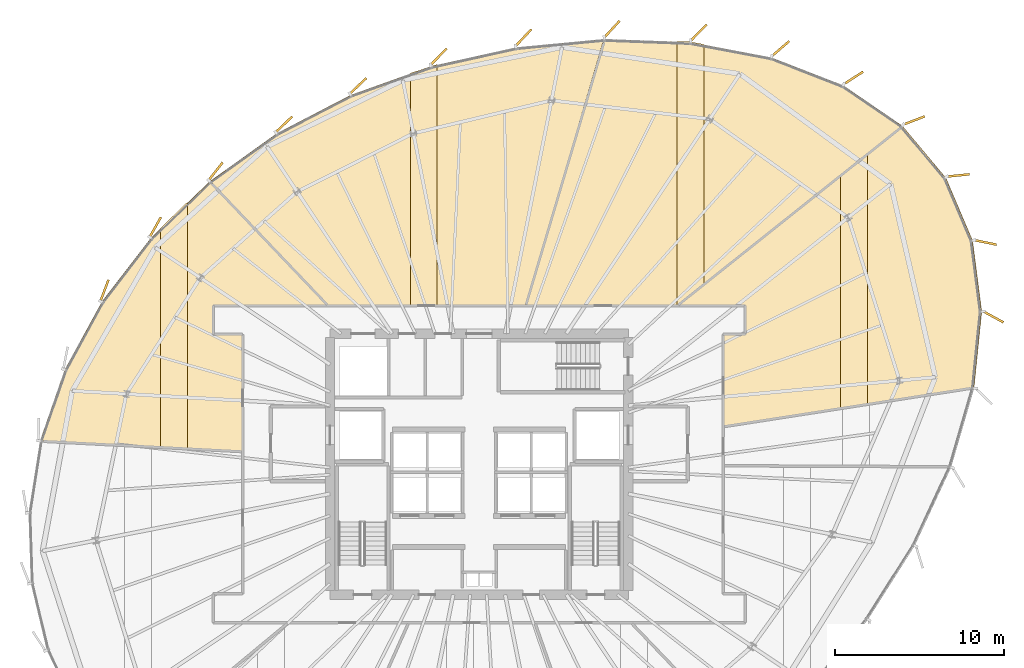
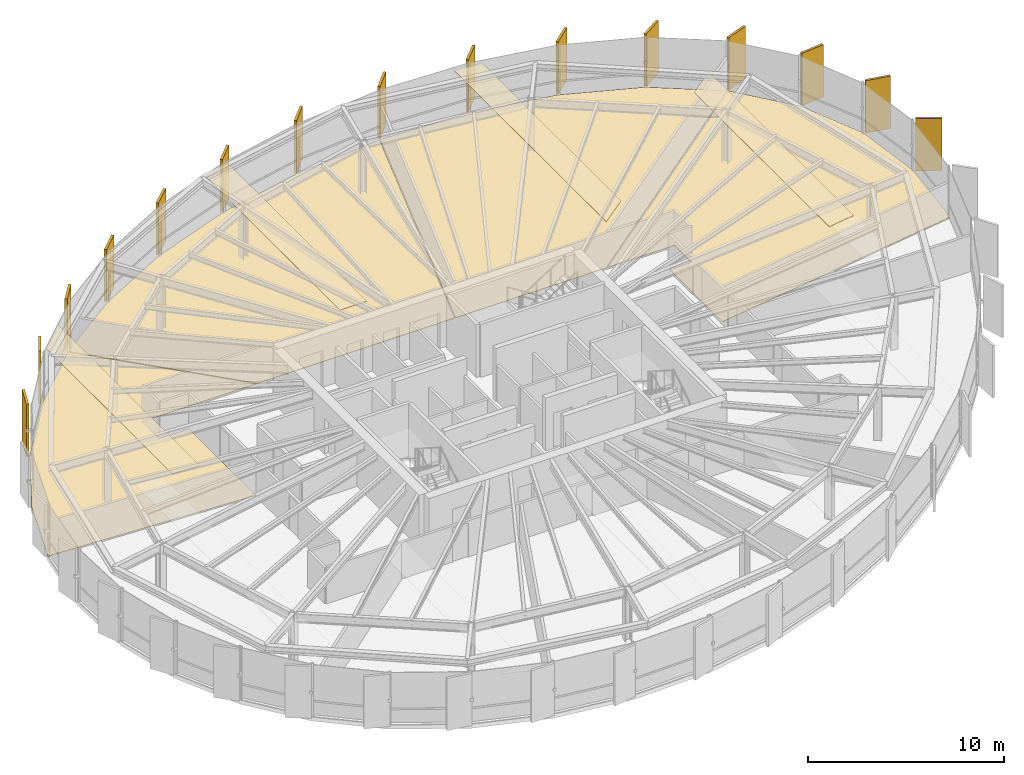
# One storey, part 32 of 32: 23 coverings.
"""IFC4 building model written with IfcOpenShell, lengths in metres."""

import ifcopenshell
import ifcopenshell.guid

model = None  # the IFC model being written
_history = None  # IfcOwnerHistory: only IFC2X3 demands one
_inside = {}  # id of a spatial element -> (the spatial element, [elements in it])
_under = {}  # id of a project, library or spatial element -> (it, [spatial elements below it])
_declared = {}  # id of a project -> (the project, [libraries it declares])
_typed = {}  # id of a type object -> (the type object, [elements of that type])
_made_of = {}  # id of a material, layer set ... -> (it, [elements and type objects made of it])


def new_model(schema):
    """Start an empty IFC model of exactly this schema.

    Asked for "IFC4X3", IfcOpenShell would pick the latest addendum, in which some entities
    have other attributes; the version numbers below select the first issue.
    IFC2X3 requires an IfcOwnerHistory on every rooted entity: one is made here for all.
    """
    global model, _history
    if schema == "IFC4X3":
        model = ifcopenshell.file(schema_version=(4, 3, 0, 0))
    else:
        model = ifcopenshell.file(schema=schema)
    _inside.clear()
    _under.clear()
    _declared.clear()
    _typed.clear()
    _made_of.clear()
    _history = None
    if model.schema == "IFC2X3":
        org = make("IfcOrganization", Name="unknown")
        user = make(
            "IfcPersonAndOrganization",
            ThePerson=make("IfcPerson", FamilyName="unknown"),
            TheOrganization=org,
        )
        app = make(
            "IfcApplication",
            ApplicationDeveloper=org,
            Version="unknown",
            ApplicationFullName="unknown",
            ApplicationIdentifier="unknown",
        )
        _history = make(
            "IfcOwnerHistory",
            OwningUser=user,
            OwningApplication=app,
            ChangeAction="ADDED",
            CreationDate=0,
        )
    return model


def make(cls, **values):
    """One entity of the class cls with the attributes given. An attribute that is None is left unset."""
    return model.create_entity(
        cls, **{name: value for name, value in values.items() if value is not None}
    )


def rooted(cls, **values):
    """An entity with a GlobalId (a new one), such as an element, a storey or a relation."""
    return make(cls, GlobalId=ifcopenshell.guid.new(), OwnerHistory=_history, **values)


def si_unit(unit_type, name, prefix=None):
    """IfcSIUnit, for example si_unit("LENGTHUNIT", "METRE", prefix="MILLI")."""
    return make("IfcSIUnit", UnitType=unit_type, Prefix=prefix, Name=name)


def assignment(units):
    """IfcUnitAssignment: the units of a project."""
    return None if units is None else make("IfcUnitAssignment", Units=units)


def point(xyz):
    """IfcCartesianPoint."""
    return None if xyz is None else make("IfcCartesianPoint", Coordinates=xyz)


def direction(xyz):
    """IfcDirection."""
    return None if xyz is None else make("IfcDirection", DirectionRatios=xyz)


def frame(location, z_axis=None, x_axis=None):
    """IfcAxis2Placement3D, a coordinate frame: its origin and axes. An axis left out is left unset."""
    return make(
        "IfcAxis2Placement3D",
        Location=point(location),
        Axis=direction(z_axis),
        RefDirection=direction(x_axis),
    )


def frame_2d(location, x_axis=None):
    """IfcAxis2Placement2D, a coordinate frame in the plane: its origin and x axis."""
    return make(
        "IfcAxis2Placement2D", Location=point(location), RefDirection=direction(x_axis)
    )


def origin():
    """The frame at (0, 0, 0) with its axes left unset."""
    return frame((0.0, 0.0, 0.0))


def origin_2d():
    """The frame at (0, 0) in the plane with its x axis left unset."""
    return frame_2d((0.0, 0.0))


def place(relative_to, where):
    """IfcLocalPlacement: puts the frame where relative to a parent placement (None: the world)."""
    return make(
        "IfcLocalPlacement", PlacementRelTo=relative_to, RelativePlacement=where
    )


def context(
    kind, dimensions, precision=None, world=None, true_north=None, identifier=None
):
    """IfcGeometricRepresentationContext, for example the 3D "Model" context."""
    return make(
        "IfcGeometricRepresentationContext",
        ContextIdentifier=identifier,
        ContextType=kind,
        CoordinateSpaceDimension=dimensions,
        Precision=precision,
        WorldCoordinateSystem=world,
        TrueNorth=true_north,
    )


def subcontext(parent, identifier, kind, view, scale=None):
    """IfcGeometricRepresentationSubContext, for example "Body" below "Model"."""
    return make(
        "IfcGeometricRepresentationSubContext",
        ContextIdentifier=identifier,
        ContextType=kind,
        ParentContext=parent,
        TargetScale=scale,
        TargetView=view,
    )


def project(units=None, contexts=None):
    """IfcProject with its units and contexts."""
    return rooted(
        "IfcProject",
        Name="project",
        RepresentationContexts=contexts,
        UnitsInContext=assignment(units),
    )


def spatial(cls, under=None, at=None, **own):
    """A site, building, storey or space (cls), placed at a placement, below another one or the project."""
    s = rooted(cls, ObjectPlacement=at, **own)
    if under is not None:
        _under.setdefault(under.id(), (under, []))[1].append(s)
    return s


def polyline(points):
    """IfcPolyline through the points."""
    return make("IfcPolyline", Points=[point(p) for p in points])


def profile(cls, at=None, kind="AREA", **sizes):
    """A parametric profile (cls). Its sizes go by their IFC names, for example OverallWidth=200.0."""
    return make(cls, ProfileType=kind, Position=at, **sizes)


def rectangle(**sizes):
    """IfcRectangleProfileDef."""
    return profile("IfcRectangleProfileDef", **sizes)


def outline(outer, holes=None, kind="AREA"):
    """IfcArbitraryClosedProfileDef: a profile drawn as a closed curve; with holes, ...WithVoids."""
    if holes is None:
        return make("IfcArbitraryClosedProfileDef", ProfileType=kind, OuterCurve=outer)
    return make(
        "IfcArbitraryProfileDefWithVoids",
        ProfileType=kind,
        OuterCurve=outer,
        InnerCurves=holes,
    )


def extrude(swept, where, along, depth):
    """IfcExtrudedAreaSolid: the profile swept, set in the frame where, extruded along a direction by depth."""
    return make(
        "IfcExtrudedAreaSolid",
        SweptArea=swept,
        Position=where,
        ExtrudedDirection=direction(along),
        Depth=depth,
    )


def shape(context_of_items, identifier, shape_type, items):
    """IfcShapeRepresentation: the items that make up one representation, for example the "Body"."""
    return make(
        "IfcShapeRepresentation",
        ContextOfItems=context_of_items,
        RepresentationIdentifier=identifier,
        RepresentationType=shape_type,
        Items=items,
    )


def source(mapping_origin, context_of_items, identifier, shape_type, items):
    """IfcRepresentationMap: a shape defined once, which mapped items show again and again."""
    return make(
        "IfcRepresentationMap",
        MappingOrigin=mapping_origin,
        MappedRepresentation=shape(context_of_items, identifier, shape_type, items),
    )


def transform(
    local_origin,
    x_axis=None,
    y_axis=None,
    z_axis=None,
    scale=None,
    scale2=None,
    scale3=None,
    uniform=True,
):
    """IfcCartesianTransformationOperator3D, or its non-uniform kind. x_axis, y_axis, z_axis: its Axis1, 2, 3."""
    if uniform:
        return make(
            "IfcCartesianTransformationOperator3D",
            Axis1=direction(x_axis),
            Axis2=direction(y_axis),
            LocalOrigin=point(local_origin),
            Scale=scale,
            Axis3=direction(z_axis),
        )
    return make(
        "IfcCartesianTransformationOperator3DnonUniform",
        Axis1=direction(x_axis),
        Axis2=direction(y_axis),
        LocalOrigin=point(local_origin),
        Scale=scale,
        Axis3=direction(z_axis),
        Scale2=scale2,
        Scale3=scale3,
    )


def mapped(mapping_source, mapping_target):
    """IfcMappedItem: shows the shape of a source again, moved by a transform."""
    return make(
        "IfcMappedItem", MappingSource=mapping_source, MappingTarget=mapping_target
    )


def material(Name=None, Category=None):
    """IfcMaterial."""
    return make("IfcMaterial", Name=Name, Category=Category)


def layer(
    of_material, thickness, ventilated=None, Name=None, Category=None, Priority=None
):
    """IfcMaterialLayer: one layer of a wall or slab, of a material (None: an air gap)."""
    return make(
        "IfcMaterialLayer",
        Material=of_material,
        LayerThickness=thickness,
        IsVentilated=ventilated,
        Name=Name,
        Category=Category,
        Priority=Priority,
    )


def layer_set(layers, Name=None):
    """IfcMaterialLayerSet."""
    return make("IfcMaterialLayerSet", MaterialLayers=layers, LayerSetName=Name)


def made_of(thing, what):
    """Note that an element or type object is made of a material, layer set ...; save() writes the relation."""
    if what is not None:
        _made_of.setdefault(what.id(), (what, []))[1].append(thing)
    return thing


def type_object(cls, material=None, **own):
    """A type object (cls), such as IfcWallType, which elements share."""
    return made_of(rooted(cls, **own), material)


def element(
    cls,
    number,
    at=None,
    inside=None,
    cuts=None,
    type_object=None,
    material=None,
    context=None,
    identifier="Body",
    shape_type=None,
    held_by="IfcProductDefinitionShape",
    body=None,
    shapes=None,
    **own,
):
    """One element of the class cls, such as IfcWall. Its Tag is "e" and its number.

    at: its placement. inside: the storey or other place that contains it. cuts: it is an
    opening in that element (IfcRelVoidsElement). A single representation is given by context,
    identifier, shape_type and body (its items); several are given by shapes. held_by: the class
    of the entity that holds the representations. save() writes the other relations.
    """
    e = rooted(cls, Tag="e%d" % number, ObjectPlacement=at, **own)
    if body is not None:
        shapes = [shape(context, identifier, shape_type, body)]
    if shapes is not None:
        e.Representation = make(held_by, Representations=shapes)
    if inside is not None:
        _inside.setdefault(inside.id(), (inside, []))[1].append(e)
    if cuts is not None:
        rooted(
            "IfcRelVoidsElement", RelatingBuildingElement=cuts, RelatedOpeningElement=e
        )
    if type_object is not None:
        _typed.setdefault(type_object.id(), (type_object, []))[1].append(e)
    return made_of(e, material)


def aggregate(whole, parts):
    """IfcRelAggregates: a whole, such as a stair, and the parts it consists of."""
    return rooted("IfcRelAggregates", RelatingObject=whole, RelatedObjects=parts)


def save(model, path):
    """Write the relations noted so far, then the file.

    IfcRelAggregates (storeys below a building ...), IfcRelContainedInSpatialStructure (elements
    in a storey), IfcRelDefinesByType, IfcRelAssociatesMaterial and IfcRelDeclares: one each for
    every whole, place, type object, material and project.
    """
    for whole, parts in _under.values():
        aggregate(whole, parts)
    for where, things in _inside.values():
        rooted(
            "IfcRelContainedInSpatialStructure",
            RelatedElements=things,
            RelatingStructure=where,
        )
    for kind, things in _typed.values():
        rooted("IfcRelDefinesByType", RelatedObjects=things, RelatingType=kind)
    for what, things in _made_of.values():
        rooted("IfcRelAssociatesMaterial", RelatedObjects=things, RelatingMaterial=what)
    for by, libraries in _declared.values():
        rooted("IfcRelDeclares", RelatingContext=by, RelatedDefinitions=libraries)
    model.write(path)


model = new_model("IFC4")

# Units and contexts
model_context = context("Model", 3, precision=1e-05, world=origin(), true_north=direction((0.0, 1.0)))
body_context = subcontext(model_context, "Body", "Model", "MODEL_VIEW")
ifc_project = project(units=[si_unit("LENGTHUNIT", "METRE"), si_unit("AREAUNIT", "SQUARE_METRE"), si_unit("VOLUMEUNIT", "CUBIC_METRE"), si_unit("PLANEANGLEUNIT", "RADIAN"), si_unit("MASSUNIT", "GRAM", prefix="KILO"), si_unit("THERMODYNAMICTEMPERATUREUNIT", "KELVIN")], contexts=[model_context])

# Site, building, storey
site_placement = place(None, origin())
site = spatial("IfcSite", under=ifc_project, at=site_placement, CompositionType="ELEMENT")
building_placement = place(site_placement, origin())
building = spatial("IfcBuilding", under=site, at=building_placement, Name="Kethvar Cultural Tower", CompositionType="ELEMENT")
storey_placement = place(building_placement, frame((0.0, 0.0, 160.75)))
storey = spatial("IfcBuildingStorey", under=building, at=storey_placement, Name="L41", CompositionType="ELEMENT", Elevation=160.75)

# Coverings
ifc_material_1 = material(Name="Acoustic Mineral Fibre Ceiling")
ifc_layer_1 = layer(ifc_material_1, 0.0400390625, Name="Acoustic Mineral Fibre Ceiling")
ifc_layer_set_1 = layer_set([ifc_layer_1], Name="Acoustic Mineral Fibre Ceiling (40 mm)")
covering_type_1 = type_object("IfcCoveringType", Name="CV-ACOUSTIC-CEIL", PredefinedType="CEILING", material=ifc_layer_set_1)
covering_1_placement = place(storey_placement, frame((0.0, 0.0, 2.889892578125)))
element("IfcCovering", 1, at=covering_1_placement, inside=storey, type_object=covering_type_1, Name="L41 Room 06 Acoustic Ceiling Panel", PredefinedType="CEILING", context=body_context, shape_type="SweptSolid", body=[
    extrude(outline(polyline([(68.124267578125, 31.05029296875), (68.124267578125, 44.87255859375), (69.714111328125, 46.1435546875), (69.714111328125, 31.294189453125), (68.124267578125, 31.05029296875)])), origin(), (0.0, 0.0, 1.0), 0.0400390625),
])
covering_2_placement = place(storey_placement, frame((0.0, 0.0, 2.889892578125)))
element("IfcCovering", 2, at=covering_2_placement, inside=storey, type_object=covering_type_1, Name="L41 Room 07 Acoustic Ceiling Panel", PredefinedType="CEILING", context=body_context, shape_type="SweptSolid", body=[
    extrude(outline(polyline([(59.27685546875, 52.71728515625), (60.062255859375, 52.568603515625), (60.062255859375, 38.37646484375), (58.472412109375, 37.1298828125), (58.472412109375, 52.746826171875), (59.27685546875, 52.71728515625)])), origin(), (0.0, 0.0, 1.0), 0.0400390625),
])
covering_3_placement = place(storey_placement, frame((0.0, 0.0, 2.889892578125)))
element("IfcCovering", 3, at=covering_3_placement, inside=storey, type_object=covering_type_1, Name="L41 Room 08 Acoustic Ceiling Panel", PredefinedType="CEILING", context=body_context, shape_type="SweptSolid", body=[
    extrude(outline(polyline([(42.73486328125, 50.8642578125), (44.324951171875, 51.38330078125), (44.324951171875, 37.1298828125), (42.73486328125, 37.1298828125), (42.73486328125, 50.8642578125)])), origin(), (0.0, 0.0, 1.0), 0.0400390625),
])
covering_4_placement = place(storey_placement, frame((0.0, 0.0, 2.889892578125)))
element("IfcCovering", 4, at=covering_4_placement, inside=storey, type_object=covering_type_1, Name="L41 Room 09 Acoustic Ceiling Panel", PredefinedType="CEILING", context=body_context, shape_type="SweptSolid", body=[
    extrude(outline(polyline([(29.60009765625, 43.27001953125), (29.60009765625, 28.688232421875), (28.01025390625, 28.772216796875), (28.01025390625, 41.740478515625), (29.60009765625, 43.27001953125)])), origin(), (0.0, 0.0, 1.0), 0.0400390625),
])
ifc_material_2 = material(Name="Architectural Oak Timber", Category="wood")
ifc_layer_2 = layer(ifc_material_2, 0.02490234375, Name="Architectural Oak Timber", Category="wood")
ifc_layer_set_2 = layer_set([ifc_layer_2], Name="Architectural Oak Timber (25 mm)")
covering_type_2 = type_object("IfcCoveringType", Name="CV-OAK-FLOOR", PredefinedType="FLOORING", material=ifc_layer_set_2)
covering_5_placement = place(storey_placement, origin())
element("IfcCovering", 5, at=covering_5_placement, inside=storey, type_object=covering_type_2, Name="L41 Room 06 Floor Finish", PredefinedType="FLOORING", context=body_context, shape_type="SweptSolid", body=[
    extrude(outline(polyline([(76.4482421875, 36.800537109375), (75.992919921875, 32.297607421875), (61.219970703125, 30.031982421875), (61.219970703125, 35.429931640625), (62.515380859375, 35.437255859375), (62.5185546875, 37.15771484375), (58.552978515625, 37.169921875), (71.772705078125, 47.738037109375), (74.337158203125, 44.6748046875), (75.908935546875, 40.98388671875), (76.4482421875, 36.800537109375)])), origin(), (0.0, 0.0, 1.0), 0.02490234375),
])
covering_6_placement = place(storey_placement, origin())
element("IfcCovering", 6, at=covering_6_placement, inside=storey, type_object=covering_type_2, Name="L41 Room 07 Floor Finish", PredefinedType="FLOORING", context=body_context, shape_type="SweptSolid", body=[
    extrude(outline(polyline([(59.2724609375, 52.677490234375), (64.048095703125, 51.77392578125), (68.279541015625, 50.130615234375), (71.741943359375, 47.764404296875), (58.489013671875, 37.169921875), (49.57861328125, 37.169921875), (54.19775390625, 52.86474609375), (59.2724609375, 52.677490234375)])), origin(), (0.0, 0.0, 1.0), 0.02490234375),
])
covering_7_placement = place(storey_placement, origin())
element("IfcCovering", 7, at=covering_7_placement, inside=storey, type_object=covering_type_2, Name="L41 Room 08 Floor Finish", PredefinedType="FLOORING", context=body_context, shape_type="SweptSolid", body=[
    extrude(outline(polyline([(30.921142578125, 44.480712890625), (34.852783203125, 47.2958984375), (39.212646484375, 49.559814453125), (43.966796875, 51.262939453125), (49.01220703125, 52.37841796875), (54.155517578125, 52.862548828125), (49.536865234375, 37.169921875), (37.892578125, 37.169921875), (30.921142578125, 44.480712890625)])), origin(), (0.0, 0.0, 1.0), 0.02490234375),
])
covering_8_placement = place(storey_placement, origin())
element("IfcCovering", 8, at=covering_8_placement, inside=storey, type_object=covering_type_2, Name="L41 Room 09 Floor Finish", PredefinedType="FLOORING", context=body_context, shape_type="SweptSolid", body=[
    extrude(outline(polyline([(22.358154296875, 33.36376953125), (24.559814453125, 37.39453125), (27.4375, 41.1337890625), (30.89013671875, 44.455322265625), (37.83740234375, 37.169921875), (31.08251953125, 37.159423828125), (31.0859375, 35.435791015625), (32.830078125, 35.429931640625), (32.830078125, 28.557861328125), (20.907470703125, 29.1875), (22.358154296875, 33.36376953125)])), origin(), (0.0, 0.0, 1.0), 0.02490234375),
])
ifc_material_3 = material(Name="Extruded Architectural Terracotta", Category="masonry")
ifc_layer_3 = layer(ifc_material_3, 0.135009765625, Name="Extruded Architectural Terracotta", Category="masonry")
ifc_layer_set_3 = layer_set([ifc_layer_3], Name="Extruded Architectural Terracotta (135 mm)")
covering_type_3 = type_object("IfcCoveringType", Name="Terracotta Facade Fin FIN-02", PredefinedType="CLADDING", material=ifc_layer_set_3)
shared_shape = source(origin(), body_context, "Body", "SweptSolid", [
    extrude(rectangle(XDim=1.35009765625, YDim=0.135009765625, at=origin_2d()), origin(), (0.0, 0.0, 1.0), 3.260009765625),
])
for number, where, z_axis, x_axis, name in (
    (9, (75.0625, 44.8330078125, 0.02001953125), (0.0, 0.0, 1.0), (0.995159031741, 0.09827767572, 0.0), "L41 Vertical Terracotta Fin 1.1"),
    (10, (72.450927734375, 48.072998046875, 0.02001953125), (0.0, 0.0, 1.0), (0.933955196575, 0.35739011009, 0.0), "L41 Vertical Terracotta Fin 1.2"),
    (11, (68.8857421875, 50.587890625, 0.02001953125), (0.0, 0.0, 1.0), (0.841227797435, 0.540680860418, 0.0), "L41 Vertical Terracotta Fin 1.3"),
    (12, (64.57958984375, 52.312744140625, 0.02001953125), (0.0, 0.0, 1.0), (0.757223096347, 0.653156323064, 0.0), "L41 Vertical Terracotta Fin 1.4"),
    (13, (59.751220703125, 53.25830078125, 0.02001953125), (0.0, 0.0, 1.0), (0.701407036201, 0.712760948402, 0.0), "L41 Vertical Terracotta Fin 1.5"),
    (14, (54.63330078125, 53.4609375, 0.02001953125), (0.0, 0.0, 1.0), (0.678416162135, 0.734677827999, 0.0), "L41 Vertical Terracotta Fin 1.6"),
    (15, (49.416015625, 52.960205078125, 0.02001953125), (0.0, 0.0, 1.0), (0.684547105929, 0.728968627421, 0.0), "L41 Vertical Terracotta Fin 2.1"),
    (16, (44.41015625, 51.836181640625, 0.02001953125), (0.0, 0.0, 1.0), (0.705005643726, 0.709201693677, 0.0), "L41 Vertical Terracotta Fin 2.2"),
    (17, (39.6572265625, 50.114013671875, 0.02001953125), (0.0, 0.0, 1.0), (0.725254219427, 0.68848116692, 0.0), "L41 Vertical Terracotta Fin 2.3"),
    (18, (35.284423828125, 47.84375, 0.02001953125), (0.0, 0.0, 1.0), (0.724051489092, 0.689745925065, 0.0), "L41 Vertical Terracotta Fin 2.4"),
    (19, (31.251953125, 45.072265625, 0.02001953125), (0.0, 0.0, 1.0), (0.617173211813, 0.7868273169, 0.0), "L41 Vertical Terracotta Fin 2.5"),
    (20, (27.6923828125, 41.783203125, 0.02001953125), (0.0, 0.0, 1.0), (0.493638325511, 0.869667294767, 0.0), "L41 Vertical Terracotta Fin 2.6"),
    (21, (24.69189453125, 38.041259765625, 0.02001953125), (0.0, 0.0, 1.0), (0.352495055446, 0.935813675838, 0.0), "L41 Vertical Terracotta Fin 3.1"),
    (22, (77.139892578125, 36.48681640625, 0.02001953125), (0.0, 0.0, 1.0), (0.877062335535, -0.480376581014, 0.0), "L41 Vertical Terracotta Fin 6.5"),
    (23, (76.6630859375, 40.884033203125, 0.02001953125), (0.0, 0.0, 1.0), (0.979399403038, -0.201932685142, 0.0), "L41 Vertical Terracotta Fin 6.6"),
):
    element("IfcCovering", number, at=place(storey_placement, frame(where, z_axis=z_axis, x_axis=x_axis)), inside=storey, type_object=covering_type_3, Name=name, PredefinedType="CLADDING", context=body_context, shape_type="MappedRepresentation", body=[
        mapped(shared_shape, transform((0.0, 0.0, 0.0), scale=1.0)),
    ])

save(model, "model.ifc")
